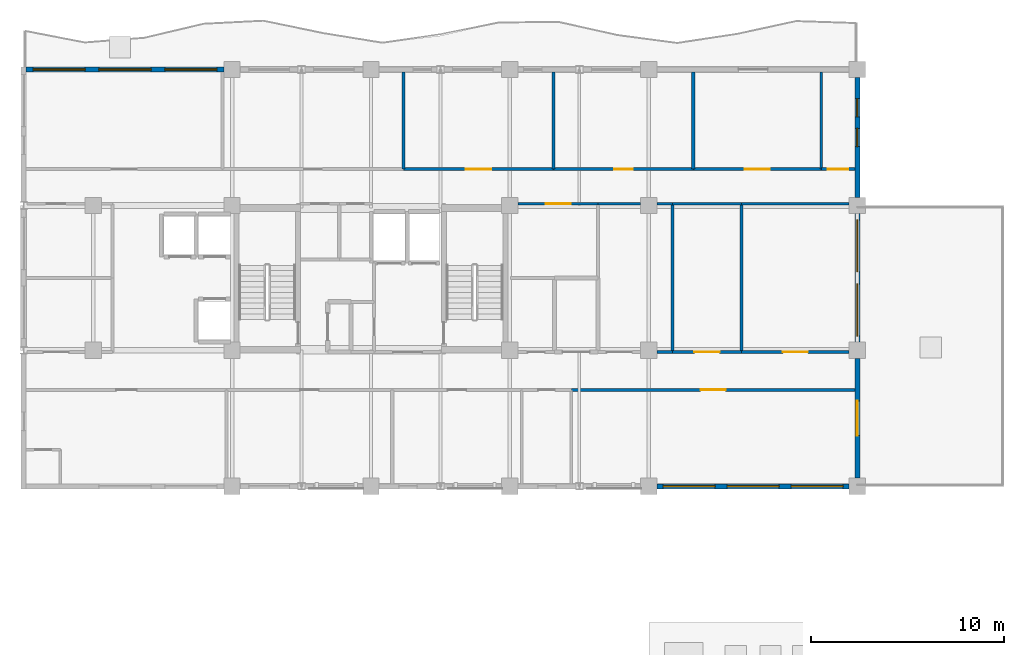
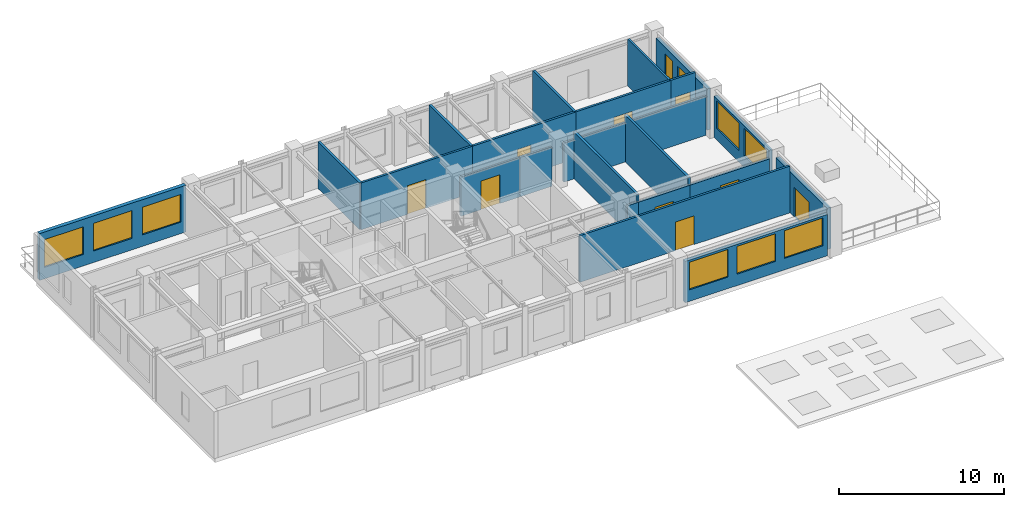
# One storey, part 5 of 8: 24 walls, 10 windows, 9 doors, 19 openings.
"""IFC4 building model written with IfcOpenShell, lengths in metres."""

from ifc_helpers import new_model, si_unit, direction, frame, frame_2d, origin, place, context, subcontext, project, spatial, rectangle, extrude, material, layer, layer_set, type_object, element, fill, save


model = new_model("IFC4")

# Units and contexts
model_context = context("Model", 3, precision=1e-05, world=origin(), true_north=direction((0.0, 1.0)))
body_context = subcontext(model_context, "Body", "Model", "MODEL_VIEW")
ifc_project = project(units=[si_unit("LENGTHUNIT", "METRE"), si_unit("AREAUNIT", "SQUARE_METRE"), si_unit("VOLUMEUNIT", "CUBIC_METRE"), si_unit("PLANEANGLEUNIT", "RADIAN"), si_unit("MASSUNIT", "GRAM", prefix="KILO")], contexts=[model_context])

# Site, building, storey
site_placement = place(None, origin())
site = spatial("IfcSite", under=ifc_project, at=site_placement, CompositionType="ELEMENT")
building_placement = place(site_placement, origin())
building = spatial("IfcBuilding", under=site, at=building_placement, Name="Kaliganga Portal Commons", CompositionType="ELEMENT")
storey_placement = place(building_placement, frame((0.0, 0.0, 249.89990234375)))
storey = spatial("IfcBuildingStorey", under=building, at=storey_placement, Name="L64", CompositionType="ELEMENT", Elevation=249.89990234375)

# Wall, openings, windows
ifc_material_1 = material(Name="Insulated Aluminium-Clad Spandrel Assembly", Category="aluminium")
ifc_layer_1 = layer(ifc_material_1, 0.260009765625)
ifc_layer_set_1 = layer_set([ifc_layer_1], Name="Insulated Aluminium-Clad Spandrel Assembly")
wall_type_1 = type_object("IfcWallType", Name="WL-EXT-SPAND-260", PredefinedType="STANDARD", material=ifc_layer_set_1)
wall_1_placement = place(storey_placement, frame((46.3740234375, 21.60009765625, 0.0), z_axis=(0.0, 0.0, 1.0), x_axis=(-1.0, 0.0, 0.0)))
wall_1 = element("IfcWall", 1, at=wall_1_placement, inside=storey, type_object=wall_type_1, Name="Exterior Envelope Wall L64 P1-E00-S8", PredefinedType="STANDARD", context=body_context, shape_type="SweptSolid", body=[
    extrude(rectangle(XDim=9.947998046875, YDim=0.260009765625, at=frame_2d((4.97412109375, 0.0))), origin(), (0.0, 0.0, 1.0), 3.05517578125),
])
opening_1_placement = place(wall_1_placement, frame((0.30810546875, 0.0, 0.85009765625)))
opening_1 = element("IfcOpeningElement", 2, at=opening_1_placement, cuts=wall_1, Name="Opening W-07", PredefinedType="OPENING", context=body_context, shape_type="SweptSolid", body=[
    extrude(rectangle(XDim=2.699951171875, YDim=2.050048828125, at=frame_2d((1.35009765625, 1.02490234375))), frame((0.0, 0.14013671875, 0.0), z_axis=(0.0, -1.0, 0.0), x_axis=(1.0, 0.0, 0.0)), (0.0, 0.0, 1.0), 0.280029296875),
])
opening_2_placement = place(wall_1_placement, frame((3.6240234375, 0.0, 0.85009765625)))
opening_2 = element("IfcOpeningElement", 3, at=opening_2_placement, cuts=wall_1, Name="Opening W-07", PredefinedType="OPENING", context=body_context, shape_type="SweptSolid", body=[
    extrude(rectangle(XDim=2.699951171875, YDim=2.050048828125, at=frame_2d((1.35009765625, 1.02490234375))), frame((0.0, 0.14013671875, 0.0), z_axis=(0.0, -1.0, 0.0), x_axis=(1.0, 0.0, 0.0)), (0.0, 0.0, 1.0), 0.280029296875),
])
opening_3_placement = place(wall_1_placement, frame((6.93994140625, 0.0, 0.85009765625)))
opening_3 = element("IfcOpeningElement", 4, at=opening_3_placement, cuts=wall_1, Name="Opening W-07", PredefinedType="OPENING", context=body_context, shape_type="SweptSolid", body=[
    extrude(rectangle(XDim=2.699951171875, YDim=2.050048828125, at=frame_2d((1.35009765625, 1.02490234375))), frame((0.0, 0.14013671875, 0.0), z_axis=(0.0, -1.0, 0.0), x_axis=(1.0, 0.0, 0.0)), (0.0, 0.0, 1.0), 0.280029296875),
])
ifc_material_2 = material(Name="Thermally Broken Aluminium and Low-E Double Glazing", Category="aluminium")
window_type_1 = type_object("IfcWindowType", Name="WIN-LOUNGE-2700", PartitioningType="TRIPLE_PANEL_VERTICAL", PredefinedType="WINDOW", material=ifc_material_2)
window_1_placement = place(opening_1_placement, origin())
window_1 = element("IfcWindow", 5, at=window_1_placement, inside=storey, type_object=window_type_1, Name="Facade Window L64-P1E00S8-00", OverallHeight=2.050048828125, OverallWidth=2.699951171875, PartitioningType="SINGLE_PANEL", PredefinedType="WINDOW", context=body_context, shape_type="SweptSolid", body=[
    extrude(rectangle(XDim=2.699951171875, YDim=2.050048828125, at=frame_2d((1.35009765625, 1.02490234375))), frame((0.0, 0.030029296875, 0.0), z_axis=(0.0, -1.0, 0.0), x_axis=(1.0, 0.0, 0.0)), (0.0, 0.0, 1.0), 0.06005859375),
])
fill(opening_1, window_1)
window_2_placement = place(opening_2_placement, origin())
window_2 = element("IfcWindow", 6, at=window_2_placement, inside=storey, type_object=window_type_1, Name="Facade Window L64-P1E00S8-01", OverallHeight=2.050048828125, OverallWidth=2.699951171875, PartitioningType="SINGLE_PANEL", PredefinedType="WINDOW", context=body_context, shape_type="SweptSolid", body=[
    extrude(rectangle(XDim=2.699951171875, YDim=2.050048828125, at=frame_2d((1.35009765625, 1.02490234375))), frame((0.0, 0.030029296875, 0.0), z_axis=(0.0, -1.0, 0.0), x_axis=(1.0, 0.0, 0.0)), (0.0, 0.0, 1.0), 0.06005859375),
])
fill(opening_2, window_2)
window_3_placement = place(opening_3_placement, origin())
window_3 = element("IfcWindow", 7, at=window_3_placement, inside=storey, type_object=window_type_1, Name="Facade Window L64-P1E00S8-02", OverallHeight=2.050048828125, OverallWidth=2.699951171875, PartitioningType="SINGLE_PANEL", PredefinedType="WINDOW", context=body_context, shape_type="SweptSolid", body=[
    extrude(rectangle(XDim=2.699951171875, YDim=2.050048828125, at=frame_2d((1.35009765625, 1.02490234375))), frame((0.0, 0.030029296875, 0.0), z_axis=(0.0, -1.0, 0.0), x_axis=(1.0, 0.0, 0.0)), (0.0, 0.0, 1.0), 0.06005859375),
])
fill(opening_3, window_3)

# Wall, opening, door
wall_2_placement = place(storey_placement, frame((46.800048828125, 28.22412109375, 0.0), z_axis=(0.0, 0.0, 1.0), x_axis=(0.0, -1.0, 0.0)))
wall_2 = element("IfcWall", 8, at=wall_2_placement, inside=storey, type_object=wall_type_1, Name="Exterior Envelope Wall L64 P1-E01-S1", PredefinedType="STANDARD", context=body_context, shape_type="SweptSolid", body=[
    extrude(rectangle(XDim=6.1982421875, YDim=0.260009765625, at=frame_2d((3.09912109375, 0.0))), origin(), (0.0, 0.0, 1.0), 3.05517578125),
])
opening_4_placement = place(wall_2_placement, frame((2.198974609375, 0.0, 0.0)))
opening_4 = element("IfcOpeningElement", 9, at=opening_4_placement, cuts=wall_2, Name="Opening TD-01", PredefinedType="OPENING", context=body_context, shape_type="SweptSolid", body=[
    extrude(rectangle(XDim=1.800048828125, YDim=2.199951171875, at=frame_2d((0.89990234375, 1.10009765625))), frame((0.0, 0.14013671875, 0.0), z_axis=(0.0, -1.0, 0.0), x_axis=(1.0, 0.0, 0.0)), (0.0, 0.0, 1.0), 0.280029296875),
])
ifc_material_3 = material(Name="Anodized Aluminium and Laminated Safety Glass", Category="aluminium")
door_type_1 = type_object("IfcDoorType", Name="DR-TERR-1800", OperationType="DOUBLE_DOOR_SINGLE_SWING", PredefinedType="DOOR", material=ifc_material_3)
door_1_placement = place(opening_4_placement, origin())
door_1 = element("IfcDoor", 10, at=door_1_placement, inside=storey, type_object=door_type_1, Name="Terrace Access Door L64 wing_b_roof_terrace", OperationType="DOUBLE_DOOR_SINGLE_SWING", OverallHeight=2.199951171875, OverallWidth=1.800048828125, PredefinedType="DOOR", context=body_context, shape_type="SweptSolid", body=[
    extrude(rectangle(XDim=1.800048828125, YDim=2.199951171875, at=frame_2d((0.89990234375, 1.10009765625))), frame((0.0, 0.02490234375, 0.0), z_axis=(0.0, -1.0, 0.0), x_axis=(1.0, 0.0, 0.0)), (0.0, 0.0, 1.0), 0.050048828125),
])
fill(opening_4, door_1)

# Wall, openings, windows
wall_3_placement = place(storey_placement, frame((46.800048828125, 35.72412109375, 0.0), z_axis=(0.0, 0.0, 1.0), x_axis=(0.0, -1.0, 0.0)))
wall_3 = element("IfcWall", 11, at=wall_3_placement, inside=storey, type_object=wall_type_1, Name="Exterior Envelope Wall L64 P1-E01-S2", PredefinedType="STANDARD", context=body_context, shape_type="SweptSolid", body=[
    extrude(rectangle(XDim=6.648193359375, YDim=0.260009765625, at=frame_2d((3.32421875, 0.0))), origin(), (0.0, 0.0, 1.0), 3.05517578125),
])
opening_5_placement = place(wall_3_placement, frame((0.31201171875, 0.0, 0.85009765625)))
opening_5 = element("IfcOpeningElement", 12, at=opening_5_placement, cuts=wall_3, Name="Opening W-07", PredefinedType="OPENING", context=body_context, shape_type="SweptSolid", body=[
    extrude(rectangle(XDim=2.699951171875, YDim=2.050048828125, at=frame_2d((1.35009765625, 1.02490234375))), frame((0.0, 0.14013671875, 0.0), z_axis=(0.0, -1.0, 0.0), x_axis=(1.0, 0.0, 0.0)), (0.0, 0.0, 1.0), 0.280029296875),
])
opening_6_placement = place(wall_3_placement, frame((3.635986328125, 0.0, 0.85009765625)))
opening_6 = element("IfcOpeningElement", 13, at=opening_6_placement, cuts=wall_3, Name="Opening W-07", PredefinedType="OPENING", context=body_context, shape_type="SweptSolid", body=[
    extrude(rectangle(XDim=2.699951171875, YDim=2.050048828125, at=frame_2d((1.35009765625, 1.02490234375))), frame((0.0, 0.14013671875, 0.0), z_axis=(0.0, -1.0, 0.0), x_axis=(1.0, 0.0, 0.0)), (0.0, 0.0, 1.0), 0.280029296875),
])
window_4_placement = place(opening_5_placement, origin())
window_4 = element("IfcWindow", 14, at=window_4_placement, inside=storey, type_object=window_type_1, Name="Facade Window L64-P1E01S2-00", OverallHeight=2.050048828125, OverallWidth=2.699951171875, PartitioningType="SINGLE_PANEL", PredefinedType="WINDOW", context=body_context, shape_type="SweptSolid", body=[
    extrude(rectangle(XDim=2.699951171875, YDim=2.050048828125, at=frame_2d((1.35009765625, 1.02490234375))), frame((0.0, 0.030029296875, 0.0), z_axis=(0.0, -1.0, 0.0), x_axis=(1.0, 0.0, 0.0)), (0.0, 0.0, 1.0), 0.06005859375),
])
fill(opening_5, window_4)
window_5_placement = place(opening_6_placement, origin())
window_5 = element("IfcWindow", 15, at=window_5_placement, inside=storey, type_object=window_type_1, Name="Facade Window L64-P1E01S2-01", OverallHeight=2.050048828125, OverallWidth=2.699951171875, PartitioningType="SINGLE_PANEL", PredefinedType="WINDOW", context=body_context, shape_type="SweptSolid", body=[
    extrude(rectangle(XDim=2.699951171875, YDim=2.050048828125, at=frame_2d((1.35009765625, 1.02490234375))), frame((0.0, 0.030029296875, 0.0), z_axis=(0.0, -1.0, 0.0), x_axis=(1.0, 0.0, 0.0)), (0.0, 0.0, 1.0), 0.06005859375),
])
fill(opening_6, window_5)

wall_4_placement = place(storey_placement, frame((46.800048828125, 42.77392578125, 0.0), z_axis=(0.0, 0.0, 1.0), x_axis=(0.0, -1.0, 0.0)))
wall_4 = element("IfcWall", 16, at=wall_4_placement, inside=storey, type_object=wall_type_1, Name="Exterior Envelope Wall L64 P1-E01-S3", PredefinedType="STANDARD", context=body_context, shape_type="SweptSolid", body=[
    extrude(rectangle(XDim=6.197998046875, YDim=0.260009765625, at=frame_2d((3.09912109375, 0.0))), origin(), (0.0, 0.0, 1.0), 3.05517578125),
])
opening_7_placement = place(wall_4_placement, frame((2.6240234375, 0.0, 0.85009765625)))
opening_7 = element("IfcOpeningElement", 17, at=opening_7_placement, cuts=wall_4, Name="Opening W-04", PredefinedType="OPENING", context=body_context, shape_type="SweptSolid", body=[
    extrude(rectangle(XDim=0.949951171875, YDim=1.75, at=frame_2d((0.47509765625, 0.875))), frame((0.0, 0.14013671875, 0.0), z_axis=(0.0, -1.0, 0.0), x_axis=(1.0, 0.0, 0.0)), (0.0, 0.0, 1.0), 0.280029296875),
])
opening_8_placement = place(wall_4_placement, frame((1.0869140625, 0.0, 0.85009765625)))
opening_8 = element("IfcOpeningElement", 18, at=opening_8_placement, cuts=wall_4, Name="Opening W-04", PredefinedType="OPENING", context=body_context, shape_type="SweptSolid", body=[
    extrude(rectangle(XDim=0.949951171875, YDim=1.75, at=frame_2d((0.47509765625, 0.875))), frame((0.0, 0.14013671875, 0.0), z_axis=(0.0, -1.0, 0.0), x_axis=(1.0, 0.0, 0.0)), (0.0, 0.0, 1.0), 0.280029296875),
])
window_type_2 = type_object("IfcWindowType", Name="WIN-NARROW-950", PartitioningType="SINGLE_PANEL", PredefinedType="WINDOW", material=ifc_material_2)
window_6_placement = place(opening_7_placement, origin())
window_6 = element("IfcWindow", 19, at=window_6_placement, inside=storey, type_object=window_type_2, Name="Facade Window L64-P1E01S3-N0", OverallHeight=1.75, OverallWidth=0.949951171875, PartitioningType="SINGLE_PANEL", PredefinedType="WINDOW", context=body_context, shape_type="SweptSolid", body=[
    extrude(rectangle(XDim=0.949951171875, YDim=1.75, at=frame_2d((0.47509765625, 0.875))), frame((0.0, 0.030029296875, 0.0), z_axis=(0.0, -1.0, 0.0), x_axis=(1.0, 0.0, 0.0)), (0.0, 0.0, 1.0), 0.06005859375),
])
fill(opening_7, window_6)
window_7_placement = place(opening_8_placement, origin())
window_7 = element("IfcWindow", 20, at=window_7_placement, inside=storey, type_object=window_type_2, Name="Facade Window L64-P1E01S3-N1", OverallHeight=1.75, OverallWidth=0.949951171875, PartitioningType="SINGLE_PANEL", PredefinedType="WINDOW", context=body_context, shape_type="SweptSolid", body=[
    extrude(rectangle(XDim=0.949951171875, YDim=1.75, at=frame_2d((0.47509765625, 0.875))), frame((0.0, 0.030029296875, 0.0), z_axis=(0.0, -1.0, 0.0), x_axis=(1.0, 0.0, 0.0)), (0.0, 0.0, 1.0), 0.06005859375),
])
fill(opening_8, window_7)

wall_5_placement = place(storey_placement, frame((3.735107421875, 43.199951171875, 0.0), z_axis=(0.0, 0.0, 1.0), x_axis=(1.0, 0.0, 0.0)))
wall_5 = element("IfcWall", 21, at=wall_5_placement, inside=storey, type_object=wall_type_1, Name="Exterior Envelope Wall L64 P1-E02-S8", PredefinedType="STANDARD", context=body_context, shape_type="SweptSolid", body=[
    extrude(rectangle(XDim=10.239013671875, YDim=0.260009765625, at=frame_2d((5.11962890625, 0.0))), origin(), (0.0, 0.0, 1.0), 3.455078125),
])
opening_9_placement = place(wall_5_placement, frame((0.3564453125, 0.0, 0.85009765625)))
opening_9 = element("IfcOpeningElement", 22, at=opening_9_placement, cuts=wall_5, Name="Opening W-07", PredefinedType="OPENING", context=body_context, shape_type="SweptSolid", body=[
    extrude(rectangle(XDim=2.699951171875, YDim=2.050048828125, at=frame_2d((1.35009765625, 1.02490234375))), frame((0.0, 0.14013671875, 0.0), z_axis=(0.0, -1.0, 0.0), x_axis=(1.0, 0.0, 0.0)), (0.0, 0.0, 1.0), 0.280029296875),
])
opening_10_placement = place(wall_5_placement, frame((3.76953125, 0.0, 0.85009765625)))
opening_10 = element("IfcOpeningElement", 23, at=opening_10_placement, cuts=wall_5, Name="Opening W-07", PredefinedType="OPENING", context=body_context, shape_type="SweptSolid", body=[
    extrude(rectangle(XDim=2.699951171875, YDim=2.050048828125, at=frame_2d((1.35009765625, 1.02490234375))), frame((0.0, 0.14013671875, 0.0), z_axis=(0.0, -1.0, 0.0), x_axis=(1.0, 0.0, 0.0)), (0.0, 0.0, 1.0), 0.280029296875),
])
opening_11_placement = place(wall_5_placement, frame((7.1826171875, 0.0, 0.85009765625)))
opening_11 = element("IfcOpeningElement", 24, at=opening_11_placement, cuts=wall_5, Name="Opening W-07", PredefinedType="OPENING", context=body_context, shape_type="SweptSolid", body=[
    extrude(rectangle(XDim=2.699951171875, YDim=2.050048828125, at=frame_2d((1.35009765625, 1.02490234375))), frame((0.0, 0.14013671875, 0.0), z_axis=(0.0, -1.0, 0.0), x_axis=(1.0, 0.0, 0.0)), (0.0, 0.0, 1.0), 0.280029296875),
])
window_8_placement = place(opening_9_placement, origin())
window_8 = element("IfcWindow", 25, at=window_8_placement, inside=storey, type_object=window_type_1, Name="Facade Window L64-P1E02S8-00", OverallHeight=2.050048828125, OverallWidth=2.699951171875, PartitioningType="SINGLE_PANEL", PredefinedType="WINDOW", context=body_context, shape_type="SweptSolid", body=[
    extrude(rectangle(XDim=2.699951171875, YDim=2.050048828125, at=frame_2d((1.35009765625, 1.02490234375))), frame((0.0, 0.030029296875, 0.0), z_axis=(0.0, -1.0, 0.0), x_axis=(1.0, 0.0, 0.0)), (0.0, 0.0, 1.0), 0.06005859375),
])
fill(opening_9, window_8)
window_9_placement = place(opening_10_placement, origin())
window_9 = element("IfcWindow", 26, at=window_9_placement, inside=storey, type_object=window_type_1, Name="Facade Window L64-P1E02S8-01", OverallHeight=2.050048828125, OverallWidth=2.699951171875, PartitioningType="SINGLE_PANEL", PredefinedType="WINDOW", context=body_context, shape_type="SweptSolid", body=[
    extrude(rectangle(XDim=2.699951171875, YDim=2.050048828125, at=frame_2d((1.35009765625, 1.02490234375))), frame((0.0, 0.030029296875, 0.0), z_axis=(0.0, -1.0, 0.0), x_axis=(1.0, 0.0, 0.0)), (0.0, 0.0, 1.0), 0.06005859375),
])
fill(opening_10, window_9)
window_10_placement = place(opening_11_placement, origin())
window_10 = element("IfcWindow", 27, at=window_10_placement, inside=storey, type_object=window_type_1, Name="Facade Window L64-P1E02S8-02", OverallHeight=2.050048828125, OverallWidth=2.699951171875, PartitioningType="SINGLE_PANEL", PredefinedType="WINDOW", context=body_context, shape_type="SweptSolid", body=[
    extrude(rectangle(XDim=2.699951171875, YDim=2.050048828125, at=frame_2d((1.35009765625, 1.02490234375))), frame((0.0, 0.030029296875, 0.0), z_axis=(0.0, -1.0, 0.0), x_axis=(1.0, 0.0, 0.0)), (0.0, 0.0, 1.0), 0.06005859375),
])
fill(opening_11, window_10)

# Wall, opening, door
ifc_material_4 = material(Name="Fire-Rated Gypsum Board on Steel Stud", Category="steel")
ifc_layer_2 = layer(ifc_material_4, 0.14990234375)
ifc_layer_set_2 = layer_set([ifc_layer_2], Name="Fire-Rated Gypsum Board on Steel Stud")
wall_type_2 = type_object("IfcWallType", Name="WL-PART-CORR-150", PredefinedType="PARTITIONING", material=ifc_layer_set_2)
wall_6_placement = place(storey_placement, frame((31.97998046875, 26.60009765625, 0.0), z_axis=(0.0, 0.0, 1.0), x_axis=(1.0, 0.0, 0.0)))
wall_6 = element("IfcWall", 28, at=wall_6_placement, inside=storey, type_object=wall_type_2, Name="Interior Partition L64-003", PredefinedType="PARTITIONING", context=body_context, shape_type="SweptSolid", body=[
    extrude(rectangle(XDim=14.68798828125, YDim=0.14990234375, at=frame_2d((7.343994140625, 0.0))), origin(), (0.0, 0.0, 1.0), 3.455078125),
])
opening_12_placement = place(wall_6_placement, frame((6.694091796875, 0.0, 0.0)))
opening_12 = element("IfcOpeningElement", 29, at=opening_12_placement, cuts=wall_6, Name="Opening RD-03", PredefinedType="OPENING", context=body_context, shape_type="SweptSolid", body=[
    extrude(rectangle(XDim=1.300048828125, YDim=2.1201171875, at=frame_2d((0.64990234375, 1.06005859375))), frame((0.0, 0.0849609375, 0.0), z_axis=(0.0, -1.0, 0.0), x_axis=(1.0, 0.0, 0.0)), (0.0, 0.0, 1.0), 0.169921875),
])
ifc_material_5 = material(Name="Glazed Timber Seminar Vision Door", Category="wood")
door_type_2 = type_object("IfcDoorType", Name="DR-STUDY-1300", OperationType="DOUBLE_DOOR_SINGLE_SWING", PredefinedType="DOOR", material=ifc_material_5)
door_2_placement = place(opening_12_placement, origin())
door_2 = element("IfcDoor", 30, at=door_2_placement, inside=storey, type_object=door_type_2, Name="Interior Door L64-AS05", OperationType="DOUBLE_DOOR_SINGLE_SWING", OverallHeight=2.1201171875, OverallWidth=1.300048828125, PredefinedType="DOOR", context=body_context, shape_type="SweptSolid", body=[
    extrude(rectangle(XDim=1.300048828125, YDim=2.1201171875, at=frame_2d((0.64990234375, 1.06005859375))), frame((0.0, 0.02490234375, 0.0), z_axis=(0.0, -1.0, 0.0), x_axis=(1.0, 0.0, 0.0)), (0.0, 0.0, 1.0), 0.050048828125),
])
fill(opening_12, door_2)

wall_7_placement = place(storey_placement, frame((23.280029296875, 38.0400390625, 0.0), z_axis=(0.0, 0.0, 1.0), x_axis=(1.0, 0.0, 0.0)))
wall_7 = element("IfcWall", 31, at=wall_7_placement, inside=storey, type_object=wall_type_2, Name="Interior Partition L64-008", PredefinedType="PARTITIONING", context=body_context, shape_type="SweptSolid", body=[
    extrude(rectangle(XDim=7.780029296875, YDim=0.14990234375, at=frame_2d((3.89013671875, 0.0))), origin(), (0.0, 0.0, 1.0), 3.455078125),
])
opening_13_placement = place(wall_7_placement, frame((3.239990234375, 0.0, 0.0)))
opening_13 = element("IfcOpeningElement", 32, at=opening_13_placement, cuts=wall_7, Name="Opening RD-03", PredefinedType="OPENING", context=body_context, shape_type="SweptSolid", body=[
    extrude(rectangle(XDim=1.300048828125, YDim=2.1201171875, at=frame_2d((0.64990234375, 1.06005859375))), frame((0.0, 0.0849609375, 0.0), z_axis=(0.0, -1.0, 0.0), x_axis=(1.0, 0.0, 0.0)), (0.0, 0.0, 1.0), 0.169921875),
])
door_3_placement = place(opening_13_placement, origin())
door_3 = element("IfcDoor", 33, at=door_3_placement, inside=storey, type_object=door_type_2, Name="Interior Door L64-AN03", OperationType="DOUBLE_DOOR_SINGLE_SWING", OverallHeight=2.1201171875, OverallWidth=1.300048828125, PredefinedType="DOOR", context=body_context, shape_type="SweptSolid", body=[
    extrude(rectangle(XDim=1.300048828125, YDim=2.1201171875, at=frame_2d((0.64990234375, 1.06005859375))), frame((0.0, 0.02490234375, 0.0), z_axis=(0.0, -1.0, 0.0), x_axis=(1.0, 0.0, 0.0)), (0.0, 0.0, 1.0), 0.050048828125),
])
fill(opening_13, door_3)

wall_8_placement = place(storey_placement, frame((31.06005859375, 38.0400390625, 0.0), z_axis=(0.0, 0.0, 1.0), x_axis=(1.0, 0.0, 0.0)))
wall_8 = element("IfcWall", 34, at=wall_8_placement, inside=storey, type_object=wall_type_2, Name="Interior Partition L64-009", PredefinedType="PARTITIONING", context=body_context, shape_type="SweptSolid", body=[
    extrude(rectangle(XDim=7.239990234375, YDim=0.14990234375, at=frame_2d((3.6201171875, 0.0))), origin(), (0.0, 0.0, 1.0), 3.455078125),
])
opening_14_placement = place(wall_8_placement, frame((3.14501953125, 0.0, 0.0)))
opening_14 = element("IfcOpeningElement", 35, at=opening_14_placement, cuts=wall_8, Name="Opening UD-01", PredefinedType="OPENING", context=body_context, shape_type="SweptSolid", body=[
    extrude(rectangle(XDim=0.949951171875, YDim=2.10009765625, at=frame_2d((0.47509765625, 1.050048828125))), frame((0.0, 0.0849609375, 0.0), z_axis=(0.0, -1.0, 0.0), x_axis=(1.0, 0.0, 0.0)), (0.0, 0.0, 1.0), 0.169921875),
])
ifc_material_6 = material(Name="Solid-Core Timber Acoustic Fire Door", Category="wood")
door_type_3 = type_object("IfcDoorType", Name="DR-UNIT-950", OperationType="NOTDEFINED", PredefinedType="DOOR", material=ifc_material_6)
door_4_placement = place(opening_14_placement, origin())
door_4 = element("IfcDoor", 36, at=door_4_placement, inside=storey, type_object=door_type_3, Name="Interior Door L64-AN04", OperationType="SINGLE_SWING_RIGHT", OverallHeight=2.10009765625, OverallWidth=0.949951171875, PredefinedType="DOOR", context=body_context, shape_type="SweptSolid", body=[
    extrude(rectangle(XDim=0.949951171875, YDim=2.10009765625, at=frame_2d((0.47509765625, 1.050048828125))), frame((0.0, 0.02490234375, 0.0), z_axis=(0.0, -1.0, 0.0), x_axis=(1.0, 0.0, 0.0)), (0.0, 0.0, 1.0), 0.050048828125),
])
fill(opening_14, door_4)

wall_9_placement = place(storey_placement, frame((38.300048828125, 38.0400390625, 0.0), z_axis=(0.0, 0.0, 1.0), x_axis=(1.0, 0.0, 0.0)))
wall_9 = element("IfcWall", 37, at=wall_9_placement, inside=storey, type_object=wall_type_2, Name="Interior Partition L64-011", PredefinedType="PARTITIONING", context=body_context, shape_type="SweptSolid", body=[
    extrude(rectangle(XDim=6.639892578125, YDim=0.14990234375, at=frame_2d((3.31982421875, 0.0))), origin(), (0.0, 0.0, 1.0), 3.455078125),
])
opening_15_placement = place(wall_9_placement, frame((2.669921875, 0.0, 0.0)))
opening_15 = element("IfcOpeningElement", 38, at=opening_15_placement, cuts=wall_9, Name="Opening RD-03", PredefinedType="OPENING", context=body_context, shape_type="SweptSolid", body=[
    extrude(rectangle(XDim=1.300048828125, YDim=2.1201171875, at=frame_2d((0.64990234375, 1.06005859375))), frame((0.0, 0.0849609375, 0.0), z_axis=(0.0, -1.0, 0.0), x_axis=(1.0, 0.0, 0.0)), (0.0, 0.0, 1.0), 0.169921875),
])
door_5_placement = place(opening_15_placement, origin())
door_5 = element("IfcDoor", 39, at=door_5_placement, inside=storey, type_object=door_type_2, Name="Interior Door L64-AN05", OperationType="DOUBLE_DOOR_SINGLE_SWING", OverallHeight=2.1201171875, OverallWidth=1.300048828125, PredefinedType="DOOR", context=body_context, shape_type="SweptSolid", body=[
    extrude(rectangle(XDim=1.300048828125, YDim=2.1201171875, at=frame_2d((0.64990234375, 1.06005859375))), frame((0.0, 0.02490234375, 0.0), z_axis=(0.0, -1.0, 0.0), x_axis=(1.0, 0.0, 0.0)), (0.0, 0.0, 1.0), 0.050048828125),
])
fill(opening_15, door_5)

wall_10_placement = place(storey_placement, frame((40.800048828125, 28.56005859375, 0.0), z_axis=(0.0, 0.0, 1.0), x_axis=(1.0, 0.0, 0.0)))
wall_10 = element("IfcWall", 40, at=wall_10_placement, inside=storey, type_object=wall_type_2, Name="Interior Partition L64-012", PredefinedType="PARTITIONING", context=body_context, shape_type="SweptSolid", body=[
    extrude(rectangle(XDim=5.574951171875, YDim=0.14990234375, at=frame_2d((2.78759765625, 0.0))), origin(), (0.0, 0.0, 1.0), 2.905029296875),
])
opening_16_placement = place(wall_10_placement, frame((2.137451171875, 0.0, 0.0)))
opening_16 = element("IfcOpeningElement", 41, at=opening_16_placement, cuts=wall_10, Name="Opening RD-03", PredefinedType="OPENING", context=body_context, shape_type="SweptSolid", body=[
    extrude(rectangle(XDim=1.300048828125, YDim=2.1201171875, at=frame_2d((0.64990234375, 1.06005859375))), frame((0.0, 0.0849609375, 0.0), z_axis=(0.0, -1.0, 0.0), x_axis=(1.0, 0.0, 0.0)), (0.0, 0.0, 1.0), 0.169921875),
])
door_6_placement = place(opening_16_placement, origin())
door_6 = element("IfcDoor", 42, at=door_6_placement, inside=storey, type_object=door_type_2, Name="Interior Door L64-AE03", OperationType="DOUBLE_DOOR_SINGLE_SWING", OverallHeight=2.1201171875, OverallWidth=1.300048828125, PredefinedType="DOOR", context=body_context, shape_type="SweptSolid", body=[
    extrude(rectangle(XDim=1.300048828125, YDim=2.1201171875, at=frame_2d((0.64990234375, 1.06005859375))), frame((0.0, 0.02490234375, 0.0), z_axis=(0.0, -1.0, 0.0), x_axis=(1.0, 0.0, 0.0)), (0.0, 0.0, 1.0), 0.050048828125),
])
fill(opening_16, door_6)

# Wall
wall_11_placement = place(storey_placement, frame((40.800048828125, 36.239990234375, 0.0), z_axis=(0.0, 0.0, 1.0), x_axis=(1.0, 0.0, 0.0)))
element("IfcWall", 43, at=wall_11_placement, inside=storey, type_object=wall_type_2, Name="Interior Partition L64-013", PredefinedType="PARTITIONING", context=body_context, shape_type="SweptSolid", body=[
    extrude(rectangle(XDim=5.574951171875, YDim=0.14990234375, at=frame_2d((2.78759765625, 0.0))), origin(), (0.0, 0.0, 1.0), 2.905029296875),
])

# Wall, opening, door
wall_12_placement = place(storey_placement, frame((29.22509765625, 36.239990234375, 0.0), z_axis=(0.0, 0.0, 1.0), x_axis=(1.0, 0.0, 0.0)))
wall_12 = element("IfcWall", 44, at=wall_12_placement, inside=storey, type_object=wall_type_2, Name="Interior Partition L64-018", PredefinedType="PARTITIONING", context=body_context, shape_type="SweptSolid", body=[
    extrude(rectangle(XDim=4.135009765625, YDim=0.14990234375, at=frame_2d((2.0673828125, 0.0))), origin(), (0.0, 0.0, 1.0), 2.905029296875),
])
opening_17_placement = place(wall_12_placement, frame((1.41748046875, 0.0, 0.0)))
opening_17 = element("IfcOpeningElement", 45, at=opening_17_placement, cuts=wall_12, Name="Opening RD-03", PredefinedType="OPENING", context=body_context, shape_type="SweptSolid", body=[
    extrude(rectangle(XDim=1.300048828125, YDim=2.1201171875, at=frame_2d((0.64990234375, 1.06005859375))), frame((0.0, 0.0849609375, 0.0), z_axis=(0.0, -1.0, 0.0), x_axis=(1.0, 0.0, 0.0)), (0.0, 0.0, 1.0), 0.169921875),
])
door_7_placement = place(opening_17_placement, origin())
door_7 = element("IfcDoor", 46, at=door_7_placement, inside=storey, type_object=door_type_2, Name="Interior Door L64-CSRV_A2", OperationType="DOUBLE_DOOR_SINGLE_SWING", OverallHeight=2.1201171875, OverallWidth=1.300048828125, PredefinedType="DOOR", context=body_context, shape_type="SweptSolid", body=[
    extrude(rectangle(XDim=1.300048828125, YDim=2.1201171875, at=frame_2d((0.64990234375, 1.06005859375))), frame((0.0, 0.02490234375, 0.0), z_axis=(0.0, -1.0, 0.0), x_axis=(1.0, 0.0, 0.0)), (0.0, 0.0, 1.0), 0.050048828125),
])
fill(opening_17, door_7)

# Walls
wall_13_placement = place(storey_placement, frame((36.425048828125, 28.56005859375, 0.0), z_axis=(0.0, 0.0, 1.0), x_axis=(1.0, 0.0, 0.0)))
element("IfcWall", 47, at=wall_13_placement, inside=storey, type_object=wall_type_2, Name="Interior Partition L64-020", PredefinedType="PARTITIONING", context=body_context, shape_type="SweptSolid", body=[
    extrude(rectangle(XDim=0.794921875, YDim=0.14990234375, at=frame_2d((0.3974609375, 0.0))), origin(), (0.0, 0.0, 1.0), 2.905029296875),
])
wall_14_placement = place(storey_placement, frame((33.360107421875, 36.239990234375, 0.0), z_axis=(0.0, 0.0, 1.0), x_axis=(1.0, 0.0, 0.0)))
element("IfcWall", 48, at=wall_14_placement, inside=storey, type_object=wall_type_2, Name="Interior Partition L64-021", PredefinedType="PARTITIONING", context=body_context, shape_type="SweptSolid", body=[
    extrude(rectangle(XDim=2.21484375, YDim=0.14990234375, at=frame_2d((1.107421875, 0.0))), origin(), (0.0, 0.0, 1.0), 2.905029296875),
])
wall_15_placement = place(storey_placement, frame((36.425048828125, 36.239990234375, 0.0), z_axis=(0.0, 0.0, 1.0), x_axis=(1.0, 0.0, 0.0)))
element("IfcWall", 49, at=wall_15_placement, inside=storey, type_object=wall_type_2, Name="Interior Partition L64-022", PredefinedType="PARTITIONING", context=body_context, shape_type="SweptSolid", body=[
    extrude(rectangle(XDim=0.794921875, YDim=0.14990234375, at=frame_2d((0.3974609375, 0.0))), origin(), (0.0, 0.0, 1.0), 2.905029296875),
])

# Wall, opening, door
wall_16_placement = place(storey_placement, frame((37.219970703125, 28.56005859375, 0.0), z_axis=(0.0, 0.0, 1.0), x_axis=(1.0, 0.0, 0.0)))
wall_16 = element("IfcWall", 50, at=wall_16_placement, inside=storey, type_object=wall_type_2, Name="Interior Partition L64-025", PredefinedType="PARTITIONING", context=body_context, shape_type="SweptSolid", body=[
    extrude(rectangle(XDim=3.580078125, YDim=0.14990234375, at=frame_2d((1.7900390625, 0.0))), origin(), (0.0, 0.0, 1.0), 2.905029296875),
])
opening_18_placement = place(wall_16_placement, frame((1.139892578125, 0.0, 0.0)))
opening_18 = element("IfcOpeningElement", 51, at=opening_18_placement, cuts=wall_16, Name="Opening RD-03", PredefinedType="OPENING", context=body_context, shape_type="SweptSolid", body=[
    extrude(rectangle(XDim=1.300048828125, YDim=2.1201171875, at=frame_2d((0.64990234375, 1.06005859375))), frame((0.0, 0.0849609375, 0.0), z_axis=(0.0, -1.0, 0.0), x_axis=(1.0, 0.0, 0.0)), (0.0, 0.0, 1.0), 0.169921875),
])
door_8_placement = place(opening_18_placement, origin())
door_8 = element("IfcDoor", 52, at=door_8_placement, inside=storey, type_object=door_type_2, Name="Interior Door L64-AE02", OperationType="DOUBLE_DOOR_SINGLE_SWING", OverallHeight=2.1201171875, OverallWidth=1.300048828125, PredefinedType="DOOR", context=body_context, shape_type="SweptSolid", body=[
    extrude(rectangle(XDim=1.300048828125, YDim=2.1201171875, at=frame_2d((0.64990234375, 1.06005859375))), frame((0.0, 0.02490234375, 0.0), z_axis=(0.0, -1.0, 0.0), x_axis=(1.0, 0.0, 0.0)), (0.0, 0.0, 1.0), 0.050048828125),
])
fill(opening_18, door_8)

# Wall
wall_17_placement = place(storey_placement, frame((37.219970703125, 36.239990234375, 0.0), z_axis=(0.0, 0.0, 1.0), x_axis=(1.0, 0.0, 0.0)))
element("IfcWall", 53, at=wall_17_placement, inside=storey, type_object=wall_type_2, Name="Interior Partition L64-026", PredefinedType="PARTITIONING", context=body_context, shape_type="SweptSolid", body=[
    extrude(rectangle(XDim=3.580078125, YDim=0.14990234375, at=frame_2d((1.7900390625, 0.0))), origin(), (0.0, 0.0, 1.0), 2.905029296875),
])

# Wall, opening, door
wall_18_placement = place(storey_placement, frame((44.93994140625, 38.0400390625, 0.0), z_axis=(0.0, 0.0, 1.0), x_axis=(1.0, 0.0, 0.0)))
wall_18 = element("IfcWall", 54, at=wall_18_placement, inside=storey, type_object=wall_type_2, Name="Interior Partition L64-034", PredefinedType="PARTITIONING", context=body_context, shape_type="SweptSolid", body=[
    extrude(rectangle(XDim=1.72802734375, YDim=0.14990234375, at=frame_2d((0.864013671875, 0.0))), origin(), (0.0, 0.0, 1.0), 3.455078125),
])
opening_19_placement = place(wall_18_placement, frame((0.339111328125, 0.0, 0.0)))
opening_19 = element("IfcOpeningElement", 55, at=opening_19_placement, cuts=wall_18, Name="Opening UD-02", PredefinedType="OPENING", context=body_context, shape_type="SweptSolid", body=[
    extrude(rectangle(XDim=1.050048828125, YDim=2.1201171875, at=frame_2d((0.52490234375, 1.06005859375))), frame((0.0, 0.0849609375, 0.0), z_axis=(0.0, -1.0, 0.0), x_axis=(1.0, 0.0, 0.0)), (0.0, 0.0, 1.0), 0.169921875),
])
ifc_material_7 = material(Name="Accessible Wide-Leaf Acoustic Fire Door", Category="wood")
door_type_4 = type_object("IfcDoorType", Name="DR-ACC-1050", OperationType="NOTDEFINED", PredefinedType="DOOR", material=ifc_material_7)
door_9_placement = place(opening_19_placement, origin())
door_9 = element("IfcDoor", 56, at=door_9_placement, inside=storey, type_object=door_type_4, Name="Interior Door L64-AN06", OperationType="SINGLE_SWING_LEFT", OverallHeight=2.1201171875, OverallWidth=1.050048828125, PredefinedType="DOOR", context=body_context, shape_type="SweptSolid", body=[
    extrude(rectangle(XDim=1.050048828125, YDim=2.1201171875, at=frame_2d((0.52490234375, 1.06005859375))), frame((0.0, 0.02490234375, 0.0), z_axis=(0.0, -1.0, 0.0), x_axis=(1.0, 0.0, 0.0)), (0.0, 0.0, 1.0), 0.050048828125),
])
fill(opening_19, door_9)

# Walls
ifc_material_8 = material(Name="Twin-Stud Acoustic Gypsum Partition", Category="gypsum")
ifc_layer_3 = layer(ifc_material_8, 0.1650390625)
ifc_layer_set_3 = layer_set([ifc_layer_3], Name="Twin-Stud Acoustic Gypsum Partition")
wall_type_3 = type_object("IfcWallType", Name="WL-PART-UNIT-165", PredefinedType="PARTITIONING", material=ifc_layer_set_3)
for number, where, z_axis, x_axis, name in (
    (57, (37.219970703125, 28.56005859375, 0.0), (0.0, 0.0, 1.0), (0.0, 1.0, 0.0), "Interior Partition L64-041"),
    (58, (40.800048828125, 28.56005859375, 0.0), (0.0, 0.0, 1.0), (0.0, 1.0, 0.0), "Interior Partition L64-042"),
):
    element("IfcWall", number, at=place(storey_placement, frame(where, z_axis=z_axis, x_axis=x_axis)), inside=storey, type_object=wall_type_3, Name=name, PredefinedType="PARTITIONING", context=body_context, shape_type="SweptSolid", body=[
        extrude(rectangle(XDim=7.679931640625, YDim=0.1650390625, at=frame_2d((3.83984375, 0.0))), origin(), (0.0, 0.0, 1.0), 3.455078125),
    ])
for number, where, z_axis, x_axis, name in (
    (59, (23.280029296875, 38.0400390625, 0.0), (0.0, 0.0, 1.0), (0.0, 1.0, 0.0), "Interior Partition L64-044"),
    (60, (31.06005859375, 38.0400390625, 0.0), (0.0, 0.0, 1.0), (0.0, 1.0, 0.0), "Interior Partition L64-045"),
    (61, (38.300048828125, 38.0400390625, 0.0), (0.0, 0.0, 1.0), (0.0, 1.0, 0.0), "Interior Partition L64-046"),
):
    element("IfcWall", number, at=place(storey_placement, frame(where, z_axis=z_axis, x_axis=x_axis)), inside=storey, type_object=wall_type_3, Name=name, PredefinedType="PARTITIONING", context=body_context, shape_type="SweptSolid", body=[
        extrude(rectangle(XDim=5.028076171875, YDim=0.1650390625, at=frame_2d((2.51416015625, 0.0))), origin(), (0.0, 0.0, 1.0), 3.455078125),
    ])
ifc_material_9 = material(Name="Cement-Board Wet-Room Partition", Category="gypsum")
ifc_layer_4 = layer(ifc_material_9, 0.135009765625)
ifc_layer_set_4 = layer_set([ifc_layer_4], Name="Cement-Board Wet-Room Partition")
wall_type_4 = type_object("IfcWallType", Name="WL-PART-WET-135", PredefinedType="PARTITIONING", material=ifc_layer_set_4)
wall_19_placement = place(storey_placement, frame((44.93994140625, 38.0400390625, 0.0), z_axis=(0.0, 0.0, 1.0), x_axis=(0.0, 1.0, 0.0)))
element("IfcWall", 62, at=wall_19_placement, inside=storey, type_object=wall_type_4, Name="Interior Partition L64-047", PredefinedType="PARTITIONING", context=body_context, shape_type="SweptSolid", body=[
    extrude(rectangle(XDim=5.028076171875, YDim=0.135009765625, at=frame_2d((2.51416015625, 0.0))), origin(), (0.0, 0.0, 1.0), 3.455078125),
])

save(model, "model.ifc")
